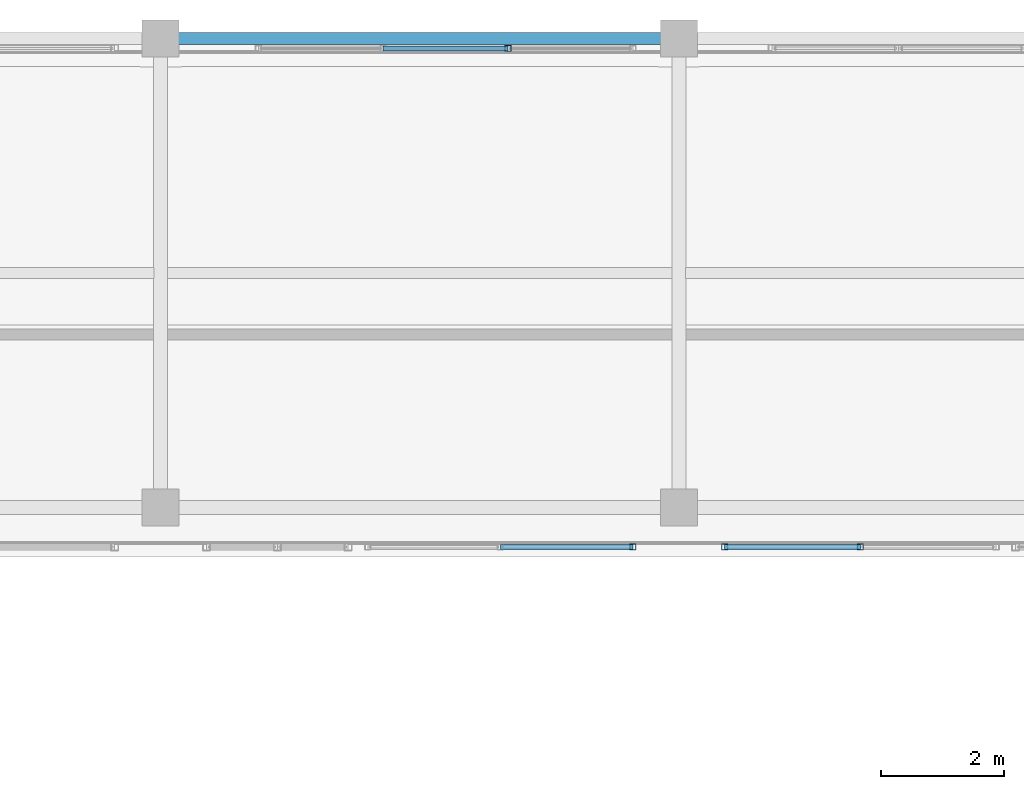
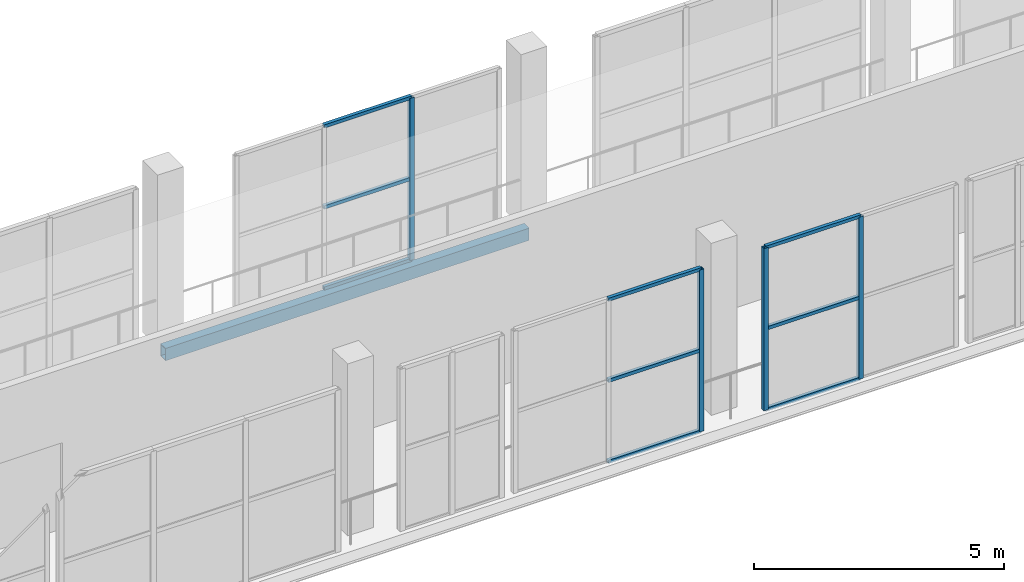
# One storey, part 68 of 151: 13 members, 1 beam, 3 elements without a shape of their own.
"""IFC4 building model written with IfcOpenShell, lengths in metres."""

from ifc_helpers import new_model, si_unit, direction, frame, origin, origin_2d, place, context, subcontext, project, spatial, hollow_rectangle, extrude, material, material_profile, profile_set, type_object, element, aggregate, save


model = new_model("IFC4")

# Units and contexts
model_context = context("Model", 3, precision=1e-05, world=origin(), true_north=direction((0.0, 1.0)))
body_context = subcontext(model_context, "Body", "Model", "MODEL_VIEW")
ifc_project = project(units=[si_unit("LENGTHUNIT", "METRE"), si_unit("AREAUNIT", "SQUARE_METRE"), si_unit("VOLUMEUNIT", "CUBIC_METRE"), si_unit("PLANEANGLEUNIT", "RADIAN"), si_unit("MASSUNIT", "GRAM", prefix="KILO")], contexts=[model_context])

# Site, building, storey
site_placement = place(None, origin())
site = spatial("IfcSite", under=ifc_project, at=site_placement, CompositionType="ELEMENT")
building_placement = place(site_placement, origin())
building = spatial("IfcBuilding", under=site, at=building_placement, Name="Zuvorla Pavilion Media Centre", CompositionType="ELEMENT")
storey_placement = place(building_placement, frame((0.0, 0.0, 13.800048828125)))
storey = spatial("IfcBuildingStorey", under=building, at=storey_placement, Name="L03", CompositionType="ELEMENT", Elevation=13.800048828125)

# Beam
ifc_material_1 = material(Name="Steel S355", Category="steel")
ifc_material_profile_1 = material_profile(ifc_material_1, hollow_rectangle(XDim=0.199951171875, YDim=0.300048828125, WallThickness=0.012451171875, at=origin_2d()), Name="RHS 300x200x12.5")
ifc_profile_set_1 = profile_set([ifc_material_profile_1], Name="Steel S355")
beam_type = type_object("IfcBeamType", Name="BM-SP-RHS300", PredefinedType="SPANDREL", material=ifc_profile_set_1)
beam_placement = place(storey_placement, frame((66.800048828125, 89.60009765625, -0.407958984375), z_axis=(1.0, 0.0, 0.0), x_axis=(0.0, 1.0, 0.0)))
element("IfcBeam", 1, at=beam_placement, inside=storey, type_object=beam_type, Name="L03 spandrel SP01 1137", PredefinedType="SPANDREL", context=body_context, shape_type="SweptSolid", body=[
    extrude(hollow_rectangle(XDim=0.199951171875, YDim=0.300048828125, WallThickness=0.012451171875, at=origin_2d()), origin(), (0.0, 0.0, 1.0), 8.39990234375),
])

# Curtain wall, member
ifc_material_2 = material(Name="Unitised anodised aluminium and solar glass curtain wall", Category="aluminium")
curtain_wall_type_1 = type_object("IfcCurtainWallType", Name="CW-SYS-64", PredefinedType="USERDEFINED", material=ifc_material_2)
curtain_wall_1_placement = place(storey_placement, origin())
curtain_wall_1 = element("IfcCurtainWall", 2, at=curtain_wall_1_placement, inside=storey, type_object=curtain_wall_type_1, Name="L03 curtain wall CW64 115", ObjectType="CURTAIN WALL", PredefinedType="USERDEFINED")
ifc_material_3 = material(Name="Anodised aluminium 6063-T6", Category="aluminium")
ifc_material_profile_2 = material_profile(ifc_material_3, hollow_rectangle(XDim=0.10009765625, YDim=0.10009765625, WallThickness=0.00439453125, at=origin_2d()), Name="ALU MULL 100x100")
ifc_profile_set_2 = profile_set([ifc_material_profile_2], Name="Anodised aluminium 6063-T6")
member_type_1 = type_object("IfcMemberType", Name="CW-MULL-100", PredefinedType="MULLION", material=ifc_profile_set_2)
member_1_placement = place(storey_placement, frame((72.43212890625, 89.43994140625, 0.0), z_axis=(0.0, 0.0, 1.0), x_axis=(1.0, 0.0, 0.0)))
member_1 = element("IfcMember", 3, at=member_1_placement, type_object=member_type_1, Name="CW64 mullion 2", PredefinedType="MULLION", context=body_context, shape_type="SweptSolid", body=[
    extrude(hollow_rectangle(XDim=0.10009765625, YDim=0.10009765625, WallThickness=0.00439453125, at=origin_2d()), origin(), (0.0, 0.0, 1.0), 3.9599609375),
])

# Curtain wall, members
curtain_wall_type_2 = type_object("IfcCurtainWallType", Name="CW-SYS-79", PredefinedType="USERDEFINED", material=ifc_material_2)
curtain_wall_2_placement = place(storey_placement, origin())
curtain_wall_2 = element("IfcCurtainWall", 4, at=curtain_wall_2_placement, inside=storey, type_object=curtain_wall_type_2, Name="L03 curtain wall CW79 162", ObjectType="CURTAIN WALL", PredefinedType="USERDEFINED")
member_2_placement = place(storey_placement, frame((78.14208984375, 81.360107421875, 0.0), z_axis=(0.0, 0.0, 1.0), x_axis=(1.0, 0.0, 0.0)))
member_2 = element("IfcMember", 5, at=member_2_placement, type_object=member_type_1, Name="CW79 mullion 2", PredefinedType="MULLION", context=body_context, shape_type="SweptSolid", body=[
    extrude(hollow_rectangle(XDim=0.10009765625, YDim=0.10009765625, WallThickness=0.00439453125, at=origin_2d()), origin(), (0.0, 0.0, 1.0), 3.9599609375),
])
member_3_placement = place(storey_placement, frame((75.9443359375, 81.360107421875, 0.0), z_axis=(0.0, 0.0, 1.0), x_axis=(1.0, 0.0, 0.0)))
member_3 = element("IfcMember", 6, at=member_3_placement, type_object=member_type_1, Name="CW79 mullion 3", PredefinedType="MULLION", context=body_context, shape_type="SweptSolid", body=[
    extrude(hollow_rectangle(XDim=0.10009765625, YDim=0.10009765625, WallThickness=0.00439453125, at=origin_2d()), origin(), (0.0, 0.0, 1.0), 3.9599609375),
])

# Curtain wall, member
curtain_wall_type_3 = type_object("IfcCurtainWallType", Name="CW-SYS-42", PredefinedType="USERDEFINED", material=ifc_material_2)
curtain_wall_3_placement = place(storey_placement, origin())
curtain_wall_3 = element("IfcCurtainWall", 7, at=curtain_wall_3_placement, inside=storey, type_object=curtain_wall_type_3, Name="L03 curtain wall CW42 163", ObjectType="CURTAIN WALL", PredefinedType="USERDEFINED")
member_4_placement = place(storey_placement, frame((74.455810546875, 81.360107421875, 0.0), z_axis=(0.0, 0.0, 1.0), x_axis=(1.0, 0.0, 0.0)))
member_4 = element("IfcMember", 8, at=member_4_placement, type_object=member_type_1, Name="CW42 mullion 1", PredefinedType="MULLION", context=body_context, shape_type="SweptSolid", body=[
    extrude(hollow_rectangle(XDim=0.10009765625, YDim=0.10009765625, WallThickness=0.00439453125, at=origin_2d()), origin(), (0.0, 0.0, 1.0), 3.9599609375),
])

# Member
ifc_material_profile_3 = material_profile(ifc_material_3, hollow_rectangle(XDim=0.080078125, YDim=0.080078125, WallThickness=0.00390625, at=origin_2d()), Name="ALU TRAN 80x80")
ifc_profile_set_3 = profile_set([ifc_material_profile_3], Name="Anodised aluminium 6063-T6")
member_type_2 = type_object("IfcMemberType", Name="CW-TRAN-80", PredefinedType="USERDEFINED", material=ifc_profile_set_3)
member_5_placement = place(storey_placement, frame((72.43212890625, 89.43994140625, 0.0), z_axis=(-1.0, 0.0, 0.0), x_axis=(0.0, -1.0, 0.0)))
member_5 = element("IfcMember", 9, at=member_5_placement, type_object=member_type_2, Name="CW64 transom 2.1", ObjectType="TRANSOM", PredefinedType="USERDEFINED", context=body_context, shape_type="SweptSolid", body=[
    extrude(hollow_rectangle(XDim=0.080078125, YDim=0.080078125, WallThickness=0.00390625, at=origin_2d()), origin(), (0.0, 0.0, 1.0), 2.023681640625),
])

member_6_placement = place(storey_placement, frame((72.43212890625, 89.43994140625, 1.97998046875), z_axis=(-1.0, 0.0, 0.0), x_axis=(0.0, -1.0, 0.0)))
member_6 = element("IfcMember", 10, at=member_6_placement, type_object=member_type_2, Name="CW64 transom 2.2", ObjectType="TRANSOM", PredefinedType="USERDEFINED", context=body_context, shape_type="SweptSolid", body=[
    extrude(hollow_rectangle(XDim=0.080078125, YDim=0.080078125, WallThickness=0.00390625, at=origin_2d()), origin(), (0.0, 0.0, 1.0), 2.023681640625),
])

member_7_placement = place(storey_placement, frame((72.43212890625, 89.43994140625, 3.9599609375), z_axis=(-1.0, 0.0, 0.0), x_axis=(0.0, -1.0, 0.0)))
member_7 = element("IfcMember", 11, at=member_7_placement, type_object=member_type_2, Name="CW64 transom 2.3", ObjectType="TRANSOM", PredefinedType="USERDEFINED", context=body_context, shape_type="SweptSolid", body=[
    extrude(hollow_rectangle(XDim=0.080078125, YDim=0.080078125, WallThickness=0.00390625, at=origin_2d()), origin(), (0.0, 0.0, 1.0), 2.023681640625),
])

aggregate(curtain_wall_1, [member_1, member_5, member_6, member_7])

member_8_placement = place(storey_placement, frame((78.14208984375, 81.360107421875, 0.0), z_axis=(-1.0, 0.0, 0.0), x_axis=(0.0, -1.0, 0.0)))
member_8 = element("IfcMember", 12, at=member_8_placement, type_object=member_type_2, Name="CW79 transom 2.1", ObjectType="TRANSOM", PredefinedType="USERDEFINED", context=body_context, shape_type="SweptSolid", body=[
    extrude(hollow_rectangle(XDim=0.080078125, YDim=0.080078125, WallThickness=0.00390625, at=origin_2d()), origin(), (0.0, 0.0, 1.0), 2.19775390625),
])

member_9_placement = place(storey_placement, frame((78.14208984375, 81.360107421875, 1.97998046875), z_axis=(-1.0, 0.0, 0.0), x_axis=(0.0, -1.0, 0.0)))
member_9 = element("IfcMember", 13, at=member_9_placement, type_object=member_type_2, Name="CW79 transom 2.2", ObjectType="TRANSOM", PredefinedType="USERDEFINED", context=body_context, shape_type="SweptSolid", body=[
    extrude(hollow_rectangle(XDim=0.080078125, YDim=0.080078125, WallThickness=0.00390625, at=origin_2d()), origin(), (0.0, 0.0, 1.0), 2.19775390625),
])

member_10_placement = place(storey_placement, frame((78.14208984375, 81.360107421875, 3.9599609375), z_axis=(-1.0, 0.0, 0.0), x_axis=(0.0, -1.0, 0.0)))
member_10 = element("IfcMember", 14, at=member_10_placement, type_object=member_type_2, Name="CW79 transom 2.3", ObjectType="TRANSOM", PredefinedType="USERDEFINED", context=body_context, shape_type="SweptSolid", body=[
    extrude(hollow_rectangle(XDim=0.080078125, YDim=0.080078125, WallThickness=0.00390625, at=origin_2d()), origin(), (0.0, 0.0, 1.0), 2.19775390625),
])

aggregate(curtain_wall_2, [member_2, member_3, member_8, member_9, member_10])

member_11_placement = place(storey_placement, frame((74.455810546875, 81.360107421875, 0.0), z_axis=(-1.0, 0.0, 0.0), x_axis=(0.0, -1.0, 0.0)))
member_11 = element("IfcMember", 15, at=member_11_placement, type_object=member_type_2, Name="CW42 transom 1.1", ObjectType="TRANSOM", PredefinedType="USERDEFINED", context=body_context, shape_type="SweptSolid", body=[
    extrude(hollow_rectangle(XDim=0.080078125, YDim=0.080078125, WallThickness=0.00390625, at=origin_2d()), origin(), (0.0, 0.0, 1.0), 2.14794921875),
])

member_12_placement = place(storey_placement, frame((74.455810546875, 81.360107421875, 1.97998046875), z_axis=(-1.0, 0.0, 0.0), x_axis=(0.0, -1.0, 0.0)))
member_12 = element("IfcMember", 16, at=member_12_placement, type_object=member_type_2, Name="CW42 transom 1.2", ObjectType="TRANSOM", PredefinedType="USERDEFINED", context=body_context, shape_type="SweptSolid", body=[
    extrude(hollow_rectangle(XDim=0.080078125, YDim=0.080078125, WallThickness=0.00390625, at=origin_2d()), origin(), (0.0, 0.0, 1.0), 2.14794921875),
])

member_13_placement = place(storey_placement, frame((74.455810546875, 81.360107421875, 3.9599609375), z_axis=(-1.0, 0.0, 0.0), x_axis=(0.0, -1.0, 0.0)))
member_13 = element("IfcMember", 17, at=member_13_placement, type_object=member_type_2, Name="CW42 transom 1.3", ObjectType="TRANSOM", PredefinedType="USERDEFINED", context=body_context, shape_type="SweptSolid", body=[
    extrude(hollow_rectangle(XDim=0.080078125, YDim=0.080078125, WallThickness=0.00390625, at=origin_2d()), origin(), (0.0, 0.0, 1.0), 2.14794921875),
])

aggregate(curtain_wall_3, [member_4, member_11, member_12, member_13])

save(model, "model.ifc")
